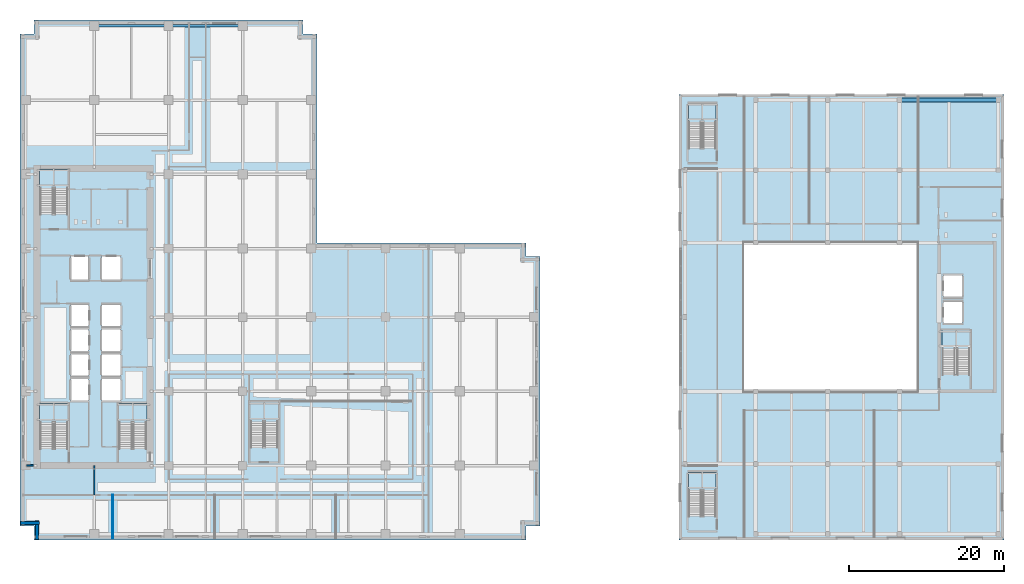
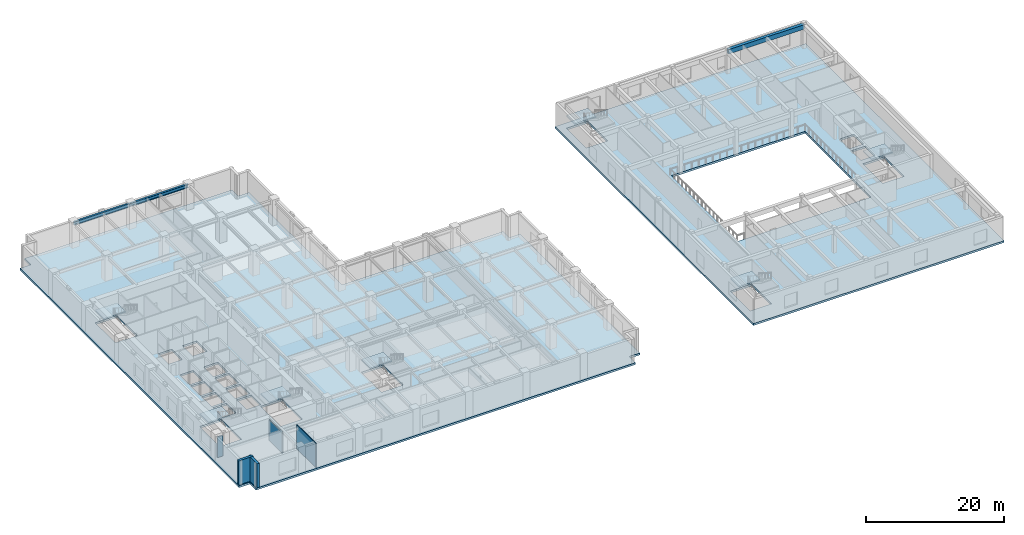
# One storey, part 4 of 24: 9 slabs, 5 walls, 3 beams, 7 elements without a shape of their own.
"""IFC4 building model written with IfcOpenShell, lengths in metres."""

from ifc_helpers import new_model, si_unit, direction, frame, frame_2d, origin, origin_2d, place, context, subcontext, project, spatial, polyline, rectangle, i_section, outline, extrude, material, layer, layer_set, material_profile, profile_set, type_object, element, aggregate, save


model = new_model("IFC4")

# Units and contexts
model_context = context("Model", 3, precision=1e-05, world=origin(), true_north=direction((0.0, 1.0)))
body_context = subcontext(model_context, "Body", "Model", "MODEL_VIEW")
ifc_project = project(units=[si_unit("LENGTHUNIT", "METRE"), si_unit("AREAUNIT", "SQUARE_METRE"), si_unit("VOLUMEUNIT", "CUBIC_METRE"), si_unit("PLANEANGLEUNIT", "RADIAN"), si_unit("MASSUNIT", "GRAM", prefix="KILO")], contexts=[model_context])

# Site, building, storey
site_placement = place(None, origin())
site = spatial("IfcSite", under=ifc_project, at=site_placement, CompositionType="ELEMENT")
building_placement = place(site_placement, origin())
building = spatial("IfcBuilding", under=site, at=building_placement, Name="Norrvale University Quadrangle", CompositionType="ELEMENT")
storey_placement = place(building_placement, frame((0.0, 0.0, 10.39990234375)))
storey = spatial("IfcBuildingStorey", under=building, at=storey_placement, Name="L02", CompositionType="ELEMENT", Elevation=10.39990234375)

# Beams
ifc_material_1 = material(Name="Steel 350W", Category="steel")
ifc_material_profile_1 = material_profile(ifc_material_1, i_section(OverallWidth=0.324951171875, OverallDepth=0.615966796875, WebThickness=0.013916015625, FlangeThickness=0.021484375, FilletRadius=0.01611328125, at=origin_2d()), Name="Steel 350W")
ifc_profile_set_1 = profile_set([ifc_material_profile_1], Name="Steel 350W")
beam_type_1 = type_object("IfcBeamType", Name="Beam Belt W610x174", PredefinedType="BEAM", material=ifc_profile_set_1)
beam_1_placement = place(storey_placement, frame((9.60009765625, 66.449951171875, 3.9521484375), z_axis=(1.0, 0.0, 0.0), x_axis=(0.0, 1.0, 0.0)))
element("IfcBeam", 1, at=beam_1_placement, inside=storey, type_object=beam_type_1, Name="Beam Belt W610x174 BM-L02-GX031", PredefinedType="BEAM", context=body_context, shape_type="SweptSolid", body=[
    extrude(i_section(OverallWidth=0.324951171875, OverallDepth=0.615966796875, WebThickness=0.013916015625, FlangeThickness=0.021484375, FilletRadius=0.01611328125, at=origin_2d()), origin(), (0.0, 0.0, 1.0), 9.599853515625),
])
beam_2_placement = place(storey_placement, frame((19.199951171875, 66.449951171875, 3.9521484375), z_axis=(1.0, 0.0, 0.0), x_axis=(0.0, 1.0, 0.0)))
element("IfcBeam", 2, at=beam_2_placement, inside=storey, type_object=beam_type_1, Name="Beam Belt W610x174 BM-L02-GX032", PredefinedType="BEAM", context=body_context, shape_type="SweptSolid", body=[
    extrude(i_section(OverallWidth=0.324951171875, OverallDepth=0.615966796875, WebThickness=0.013916015625, FlangeThickness=0.021484375, FilletRadius=0.01611328125, at=origin_2d()), origin(), (0.0, 0.0, 1.0), 9.60009765625),
])
ifc_material_2 = material(Name="Concrete C60/75", Category="concrete")
ifc_material_profile_2 = material_profile(ifc_material_2, rectangle(XDim=0.5, YDim=0.800048828125, at=origin_2d()), Name="Concrete C60/75")
ifc_profile_set_2 = profile_set([ifc_material_profile_2], Name="Concrete C60/75")
beam_type_2 = type_object("IfcBeamType", Name="Beam Lib 500x800", PredefinedType="BEAM", material=ifc_profile_set_2)
beam_3_placement = place(storey_placement, frame((113.699951171875, 56.85009765625, 3.85009765625), z_axis=(1.0, 0.0, 0.0), x_axis=(0.0, 1.0, 0.0)))
element("IfcBeam", 3, at=beam_3_placement, inside=storey, type_object=beam_type_2, Name="Beam Lib 500x800 BM-L02-LGX020", PredefinedType="BEAM", context=body_context, shape_type="SweptSolid", body=[
    extrude(rectangle(XDim=0.5, YDim=0.800048828125, at=origin_2d()), origin(), (0.0, 0.0, 1.0), 12.75),
])

# Stair, slab
ifc_material_3 = material(Name="Concrete C40/50", Category="concrete")
stair_type_1 = type_object("IfcStairType", Name="Stair Tower Pod 4600", PredefinedType="TWO_STRAIGHT_RUN_STAIR", material=ifc_material_3)
stair_1_placement = place(storey_placement, origin())
stair_1 = element("IfcStair", 4, at=stair_1_placement, inside=storey, type_object=stair_type_1, Name="Exit Stair ST-01 L02", PredefinedType="TWO_STRAIGHT_RUN_STAIR")
ifc_layer_1 = layer(ifc_material_3, 0.199951171875, Name="Concrete C40/50")
ifc_layer_set_1 = layer_set([ifc_layer_1], Name="Concrete C40/50")
slab_type_1 = type_object("IfcSlabType", Name="Slab Landing 200", PredefinedType="LANDING", material=ifc_layer_set_1)
slab_1_placement = place(storey_placement, frame((0.0, 0.0, 2.10009765625)))
slab_1 = element("IfcSlab", 5, at=slab_1_placement, type_object=slab_type_1, Name="Exit Stair ST-01 L02 Mid Landing", PredefinedType="LANDING", context=body_context, shape_type="SweptSolid", body=[
    extrude(outline(polyline([(2.550048828125, 15.110107421875), (6.199951171875, 15.110107421875), (6.199951171875, 17.64990234375), (2.550048828125, 17.64990234375), (2.550048828125, 15.110107421875)])), origin(), (0.0, 0.0, 1.0), 0.199951171875),
])
aggregate(stair_1, [slab_1])

stair_2_placement = place(storey_placement, origin())
stair_2 = element("IfcStair", 6, at=stair_2_placement, inside=storey, type_object=stair_type_1, Name="Exit Stair ST-02 L02", PredefinedType="TWO_STRAIGHT_RUN_STAIR")
slab_2_placement = place(storey_placement, frame((0.0, 0.0, 2.10009765625)))
slab_2 = element("IfcSlab", 7, at=slab_2_placement, type_object=slab_type_1, Name="Exit Stair ST-02 L02 Mid Landing", PredefinedType="LANDING", context=body_context, shape_type="SweptSolid", body=[
    extrude(outline(polyline([(2.550048828125, 45.409912109375), (6.199951171875, 45.409912109375), (6.199951171875, 47.949951171875), (2.550048828125, 47.949951171875), (2.550048828125, 45.409912109375)])), origin(), (0.0, 0.0, 1.0), 0.199951171875),
])
aggregate(stair_2, [slab_2])

stair_3_placement = place(storey_placement, origin())
stair_3 = element("IfcStair", 8, at=stair_3_placement, inside=storey, type_object=stair_type_1, Name="Exit Stair ST-03 L02", PredefinedType="TWO_STRAIGHT_RUN_STAIR")
slab_3_placement = place(storey_placement, frame((0.0, 0.0, 2.10009765625)))
slab_3 = element("IfcSlab", 9, at=slab_3_placement, type_object=slab_type_1, Name="Exit Stair ST-03 L02 Mid Landing", PredefinedType="LANDING", context=body_context, shape_type="SweptSolid", body=[
    extrude(outline(polyline([(12.75, 15.110107421875), (16.39990234375, 15.110107421875), (16.39990234375, 17.64990234375), (12.75, 17.64990234375), (12.75, 15.110107421875)])), origin(), (0.0, 0.0, 1.0), 0.199951171875),
])
aggregate(stair_3, [slab_3])

stair_4_placement = place(storey_placement, origin())
stair_4 = element("IfcStair", 10, at=stair_4_placement, inside=storey, type_object=stair_type_1, Name="Exit Stair ST-04 L02", PredefinedType="TWO_STRAIGHT_RUN_STAIR")
slab_4_placement = place(storey_placement, frame((0.0, 0.0, 2.10009765625)))
slab_4 = element("IfcSlab", 11, at=slab_4_placement, type_object=slab_type_1, Name="Exit Stair ST-04 L02 Mid Landing", PredefinedType="LANDING", context=body_context, shape_type="SweptSolid", body=[
    extrude(outline(polyline([(29.75, 15.260009765625), (33.39990234375, 15.260009765625), (33.39990234375, 17.800048828125), (29.75, 17.800048828125), (29.75, 15.260009765625)])), origin(), (0.0, 0.0, 1.0), 0.199951171875),
])
aggregate(stair_4, [slab_4])

stair_type_2 = type_object("IfcStairType", Name="Stair Lib 4600", PredefinedType="TWO_STRAIGHT_RUN_STAIR", material=ifc_material_3)
stair_5_placement = place(storey_placement, origin())
stair_5 = element("IfcStair", 12, at=stair_5_placement, inside=storey, type_object=stair_type_2, Name="Exit Stair ST-L1 L02", PredefinedType="TWO_STRAIGHT_RUN_STAIR")
slab_5_placement = place(storey_placement, frame((0.0, 0.0, 2.10009765625)))
slab_5 = element("IfcSlab", 13, at=slab_5_placement, type_object=slab_type_1, Name="Exit Stair ST-L1 L02 Mid Landing", PredefinedType="LANDING", context=body_context, shape_type="SweptSolid", body=[
    extrude(outline(polyline([(119.199951171875, 24.659912109375), (122.800048828125, 24.659912109375), (122.800048828125, 27.10009765625), (119.199951171875, 27.10009765625), (119.199951171875, 24.659912109375)])), origin(), (0.0, 0.0, 1.0), 0.199951171875),
])
aggregate(stair_5, [slab_5])

stair_6_placement = place(storey_placement, origin())
stair_6 = element("IfcStair", 14, at=stair_6_placement, inside=storey, type_object=stair_type_2, Name="Exit Stair ST-L2 L02", PredefinedType="TWO_STRAIGHT_RUN_STAIR")
slab_6_placement = place(storey_placement, frame((0.0, 0.0, 2.10009765625)))
slab_6 = element("IfcSlab", 15, at=slab_6_placement, type_object=slab_type_1, Name="Exit Stair ST-L2 L02 Mid Landing", PredefinedType="LANDING", context=body_context, shape_type="SweptSolid", body=[
    extrude(outline(polyline([(86.39990234375, 6.360107421875), (90.0, 6.360107421875), (90.0, 8.800048828125), (86.39990234375, 8.800048828125), (86.39990234375, 6.360107421875)])), origin(), (0.0, 0.0, 1.0), 0.199951171875),
])
aggregate(stair_6, [slab_6])

stair_7_placement = place(storey_placement, origin())
stair_7 = element("IfcStair", 16, at=stair_7_placement, inside=storey, type_object=stair_type_2, Name="Exit Stair ST-L3 L02", PredefinedType="TWO_STRAIGHT_RUN_STAIR")
slab_7_placement = place(storey_placement, frame((0.0, 0.0, 2.10009765625)))
slab_7 = element("IfcSlab", 17, at=slab_7_placement, type_object=slab_type_1, Name="Exit Stair ST-L3 L02 Mid Landing", PredefinedType="LANDING", context=body_context, shape_type="SweptSolid", body=[
    extrude(outline(polyline([(86.39990234375, 53.9599609375), (90.0, 53.9599609375), (90.0, 56.39990234375), (86.39990234375, 56.39990234375), (86.39990234375, 53.9599609375)])), origin(), (0.0, 0.0, 1.0), 0.199951171875),
])
aggregate(stair_7, [slab_7])

# Slabs
ifc_layer_2 = layer(ifc_material_3, 0.35009765625, Name="Concrete C40/50")
ifc_layer_set_2 = layer_set([ifc_layer_2], Name="Concrete C40/50")
slab_type_2 = type_object("IfcSlabType", Name="Slab Lib Stack 350", PredefinedType="FLOOR", material=ifc_layer_set_2)
slab_8_placement = place(storey_placement, frame((0.0, 0.0, -0.349853515625)))
element("IfcSlab", 18, at=slab_8_placement, inside=storey, type_object=slab_type_2, Name="Central Library L02 Floor Slab", PredefinedType="FLOOR", context=body_context, shape_type="SweptSolid", body=[
    extrude(outline(polyline([(85.199951171875, 0.0), (127.199951171875, 0.0), (127.199951171875, 57.60009765625), (85.199951171875, 57.60009765625), (85.199951171875, 0.0)]), holes=[polyline([(119.199951171875, 21.360107421875), (122.800048828125, 21.360107421875), (122.800048828125, 27.10009765625), (119.199951171875, 27.10009765625), (119.199951171875, 21.360107421875)]), polyline([(86.39990234375, 3.06005859375), (90.0, 3.06005859375), (90.0, 8.800048828125), (86.39990234375, 8.800048828125), (86.39990234375, 3.06005859375)]), polyline([(86.39990234375, 50.659912109375), (90.0, 50.659912109375), (90.0, 56.39990234375), (86.39990234375, 56.39990234375), (86.39990234375, 50.659912109375)]), polyline([(119.39990234375, 28.0), (121.800048828125, 28.0), (121.800048828125, 30.800048828125), (119.39990234375, 30.800048828125), (119.39990234375, 28.0)]), polyline([(119.39990234375, 31.39990234375), (121.800048828125, 31.39990234375), (121.800048828125, 34.199951171875), (119.39990234375, 34.199951171875), (119.39990234375, 31.39990234375)]), polyline([(93.60009765625, 19.199951171875), (116.0, 19.199951171875), (116.0, 38.39990234375), (93.60009765625, 38.39990234375), (93.60009765625, 19.199951171875)])]), origin(), (0.0, 0.0, 1.0), 0.349853515625),
])
ifc_layer_3 = layer(ifc_material_3, 0.340087890625, Name="Concrete C40/50")
ifc_layer_set_3 = layer_set([ifc_layer_3], Name="Concrete C40/50")
slab_type_3 = type_object("IfcSlabType", Name="Slab Podium 340", PredefinedType="FLOOR", material=ifc_layer_set_3)
slab_9_placement = place(storey_placement, frame((0.0, 0.0, -0.33984375)))
element("IfcSlab", 19, at=slab_9_placement, inside=storey, type_object=slab_type_3, Name="Tower L02 Floor Slab", PredefinedType="FLOOR", context=body_context, shape_type="SweptSolid", body=[
    extrude(outline(polyline([(1.800048828125, 0.0), (65.39990234375, 0.0), (65.39990234375, 1.800048828125), (67.199951171875, 1.800048828125), (67.199951171875, 36.60009765625), (65.39990234375, 36.60009765625), (65.39990234375, 38.39990234375), (38.39990234375, 38.39990234375), (38.39990234375, 65.39990234375), (36.60009765625, 65.39990234375), (36.60009765625, 67.199951171875), (1.800048828125, 67.199951171875), (1.800048828125, 65.39990234375), (0.0, 65.39990234375), (0.0, 1.800048828125), (1.800048828125, 1.800048828125), (1.800048828125, 0.0)]), holes=[polyline([(2.550048828125, 11.81005859375), (6.199951171875, 11.81005859375), (6.199951171875, 17.64990234375), (2.550048828125, 17.64990234375), (2.550048828125, 11.81005859375)]), polyline([(2.550048828125, 42.110107421875), (6.199951171875, 42.110107421875), (6.199951171875, 47.949951171875), (2.550048828125, 47.949951171875), (2.550048828125, 42.110107421875)]), polyline([(12.75, 11.81005859375), (16.39990234375, 11.81005859375), (16.39990234375, 17.64990234375), (12.75, 17.64990234375), (12.75, 11.81005859375)]), polyline([(29.75, 11.9599609375), (33.39990234375, 11.9599609375), (33.39990234375, 17.800048828125), (29.75, 17.800048828125), (29.75, 11.9599609375)]), polyline([(6.60009765625, 18.0), (8.85009765625, 18.0), (8.85009765625, 20.800048828125), (6.60009765625, 20.800048828125), (6.60009765625, 18.0)]), polyline([(6.60009765625, 21.199951171875), (8.85009765625, 21.199951171875), (8.85009765625, 24.0), (6.60009765625, 24.0), (6.60009765625, 21.199951171875)]), polyline([(6.60009765625, 24.39990234375), (8.85009765625, 24.39990234375), (8.85009765625, 27.199951171875), (6.60009765625, 27.199951171875), (6.60009765625, 24.39990234375)]), polyline([(6.60009765625, 27.60009765625), (8.85009765625, 27.60009765625), (8.85009765625, 30.39990234375), (6.60009765625, 30.39990234375), (6.60009765625, 27.60009765625)]), polyline([(10.60009765625, 18.0), (13.0, 18.0), (13.0, 20.800048828125), (10.60009765625, 20.800048828125), (10.60009765625, 18.0)]), polyline([(10.60009765625, 21.199951171875), (13.0, 21.199951171875), (13.0, 24.0), (10.60009765625, 24.0), (10.60009765625, 21.199951171875)]), polyline([(10.60009765625, 24.39990234375), (13.0, 24.39990234375), (13.0, 27.199951171875), (10.60009765625, 27.199951171875), (10.60009765625, 24.39990234375)]), polyline([(10.60009765625, 27.60009765625), (13.0, 27.60009765625), (13.0, 30.39990234375), (10.60009765625, 30.39990234375), (10.60009765625, 27.60009765625)]), polyline([(6.60009765625, 33.60009765625), (8.85009765625, 33.60009765625), (8.85009765625, 36.60009765625), (6.60009765625, 36.60009765625), (6.60009765625, 33.60009765625)]), polyline([(10.60009765625, 33.60009765625), (13.0, 33.60009765625), (13.0, 36.60009765625), (10.60009765625, 36.60009765625), (10.60009765625, 33.60009765625)])]), origin(), (0.0, 0.0, 1.0), 0.33984375),
])

# Walls
ifc_material_4 = material(Name="Standard Academic Gypsum Partition")
ifc_layer_4 = layer(ifc_material_4, 0.125, Name="Standard Academic Gypsum Partition")
ifc_layer_set_4 = layer_set([ifc_layer_4], Name="Standard Academic Gypsum Partition")
wall_type_1 = type_object("IfcWallType", Name="Wall Gypsum Academic 125", PredefinedType="PARTITIONING", material=ifc_layer_set_4)
wall_1_placement = place(storey_placement, frame((12.0, 0.219970703125, 0.0), z_axis=(0.0, 0.0, 1.0), x_axis=(0.0, 1.0, 0.0)))
element("IfcWall", 20, at=wall_1_placement, inside=storey, type_object=wall_type_1, Name="Interior Partition WL-L02-SP01", PredefinedType="PARTITIONING", context=body_context, shape_type="SweptSolid", body=[
    extrude(rectangle(XDim=5.580078125, YDim=0.125, at=frame_2d((2.7900390625, 0.0))), origin(), (0.0, 0.0, 1.0), 4.260009765625),
])
ifc_material_5 = material(Name="Fire-Rated Gypsum Stud Partition")
ifc_layer_5 = layer(ifc_material_5, 0.14990234375, Name="Fire-Rated Gypsum Stud Partition")
ifc_layer_set_5 = layer_set([ifc_layer_5], Name="Fire-Rated Gypsum Stud Partition")
wall_type_2 = type_object("IfcWallType", Name="Wall Gypsum Corridor 150", PredefinedType="PARTITIONING", material=ifc_layer_set_5)
wall_2_placement = place(storey_placement, frame((9.60009765625, 5.800048828125, 0.0), z_axis=(0.0, 0.0, 1.0), x_axis=(0.0, 1.0, 0.0)))
element("IfcWall", 21, at=wall_2_placement, inside=storey, type_object=wall_type_2, Name="Interior Partition WL-L02-CSW-END", PredefinedType="PARTITIONING", context=body_context, shape_type="SweptSolid", body=[
    extrude(rectangle(XDim=3.800048828125, YDim=0.14990234375, at=frame_2d((1.89990234375, 0.0))), origin(), (0.0, 0.0, 1.0), 3.64404296875),
])
ifc_material_6 = material(Name="Concrete Blockwork 20 MPa Rated Wall", Category="masonry")
ifc_layer_6 = layer(ifc_material_6, 0.199951171875, Name="Concrete Blockwork 20 MPa Rated Wall")
ifc_layer_set_6 = layer_set([ifc_layer_6], Name="Concrete Blockwork 20 MPa Rated Wall")
wall_type_3 = type_object("IfcWallType", Name="Wall Lobby 200", PredefinedType="SOLIDWALL", material=ifc_layer_set_6)
wall_3_placement = place(storey_placement, frame((0.85009765625, 9.60009765625, 0.0), z_axis=(0.0, 0.0, 1.0), x_axis=(1.0, 0.0, 0.0)))
element("IfcWall", 22, at=wall_3_placement, inside=storey, type_object=wall_type_3, Name="Interior Partition WL-L02-CWRET-S", PredefinedType="SOLIDWALL", context=body_context, shape_type="SweptSolid", body=[
    extrude(rectangle(XDim=0.89501953125, YDim=0.199951171875, at=frame_2d((0.447509765625, 0.0))), origin(), (0.0, 0.0, 1.0), 3.64404296875),
])
ifc_material_7 = material(Name="Red Manganese Brick Masonry", Category="masonry")
ifc_layer_7 = layer(ifc_material_7, 0.39990234375, Name="Red Manganese Brick Masonry")
ifc_layer_set_7 = layer_set([ifc_layer_7], Name="Red Manganese Brick Masonry")
wall_type_4 = type_object("IfcWallType", Name="Wall Red Brick 400", PredefinedType="SOLIDWALL", material=ifc_layer_set_7)
for number, where, z_axis, x_axis, name in (
    (23, (0.0400390625, 2.179931640625, 0.0), (0.0, 0.0, 1.0), (1.0, 0.0, 0.0), "Exterior Brick Facade Wall L02-15.1"),
    (24, (2.179931640625, 2.52001953125, 0.0), (0.0, 0.0, 1.0), (0.0, -1.0, 0.0), "Exterior Brick Facade Wall L02-16.1"),
):
    element("IfcWall", number, at=place(storey_placement, frame(where, z_axis=z_axis, x_axis=x_axis)), inside=storey, type_object=wall_type_4, Name=name, PredefinedType="SOLIDWALL", context=body_context, shape_type="SweptSolid", body=[
        extrude(rectangle(XDim=2.47998046875, YDim=0.39990234375, at=frame_2d((1.239990234375, 0.0))), origin(), (0.0, 0.0, 1.0), 4.260009765625),
    ])

save(model, "model.ifc")
